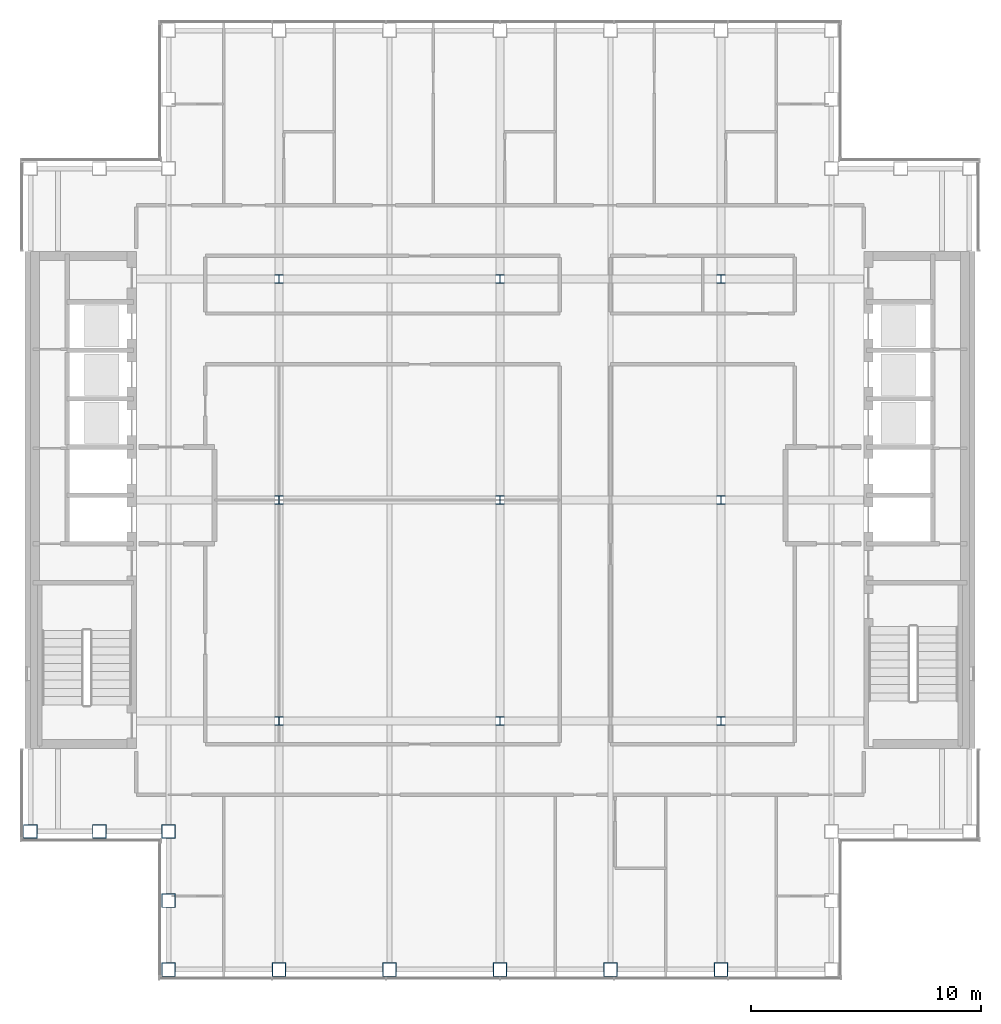
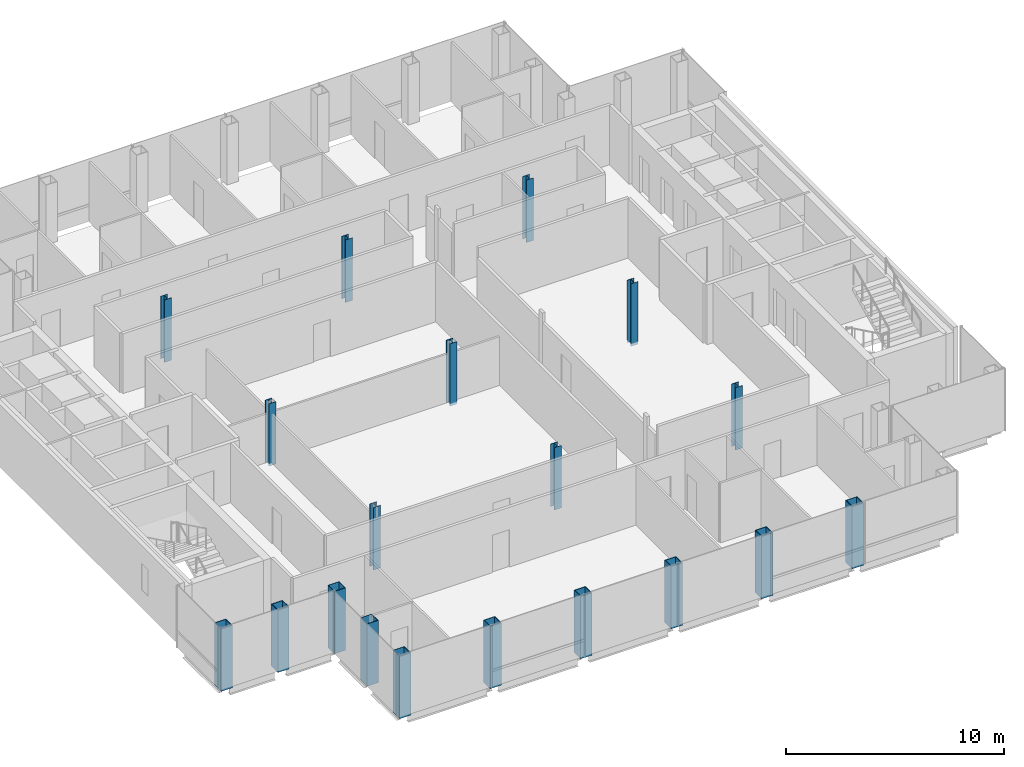
# One storey, part 1 of 15: 19 columns.
"""IFC4 building model written with IfcOpenShell, lengths in metres."""

from ifc_helpers import new_model, si_unit, direction, frame, origin, origin_2d, place, context, subcontext, project, spatial, hollow_rectangle, i_section, extrude, material, material_profile, profile_set, type_object, element, save


model = new_model("IFC4")

# Units and contexts
model_context = context("Model", 3, precision=1e-05, world=origin(), true_north=direction((0.0, 1.0)))
body_context = subcontext(model_context, "Body", "Model", "MODEL_VIEW")
ifc_project = project(units=[si_unit("LENGTHUNIT", "METRE"), si_unit("AREAUNIT", "SQUARE_METRE"), si_unit("VOLUMEUNIT", "CUBIC_METRE"), si_unit("PLANEANGLEUNIT", "RADIAN"), si_unit("MASSUNIT", "GRAM", prefix="KILO")], contexts=[model_context])

# Site, building, storey
site_placement = place(None, origin())
site = spatial("IfcSite", under=ifc_project, at=site_placement, CompositionType="ELEMENT")
building_placement = place(site_placement, origin())
building = spatial("IfcBuilding", under=site, at=building_placement, Name="Cobrizo Arcos Hotel Tower", CompositionType="ELEMENT")
storey_placement = place(building_placement, frame((0.0, 0.0, 251.5)))
storey = spatial("IfcBuildingStorey", under=building, at=storey_placement, Name="L66", CompositionType="ELEMENT", Elevation=251.5)

# Columns
ifc_material_1 = material(Name="Steel ASTM A572 Grade 50", Category="steel")
ifc_material_profile_1 = material_profile(ifc_material_1, hollow_rectangle(XDim=0.60009765625, YDim=0.60009765625, WallThickness=0.030029296875, at=origin_2d()), Name="BOX 600X600X30")
ifc_profile_set_1 = profile_set([ifc_material_profile_1], Name="Steel ASTM A572 Grade 50")
column_type_1 = type_object("IfcColumnType", Name="BOX 600X600X30 column", PredefinedType="COLUMN", material=ifc_profile_set_1)
for number, where, z_axis, x_axis, name in (
    (1, (-14.39990234375, -20.39990234375, -0.14990234375), (0.0, 0.0, 1.0), (1.0, 0.0, 0.0), "Perimeter column C12, L66, no. 01"),
    (2, (-9.60009765625, -20.39990234375, -0.14990234375), (0.0, 0.0, 1.0), (1.0, 0.0, 0.0), "Perimeter column C12, L66, no. 03"),
    (3, (-4.800048828125, -20.39990234375, -0.14990234375), (0.0, 0.0, 1.0), (1.0, 0.0, 0.0), "Perimeter column C12, L66, no. 05"),
    (4, (0.0, -20.39990234375, -0.14990234375), (0.0, 0.0, 1.0), (1.0, 0.0, 0.0), "Perimeter column C12, L66, no. 07"),
    (5, (4.800048828125, -20.39990234375, -0.14990234375), (0.0, 0.0, 1.0), (1.0, 0.0, 0.0), "Perimeter column C12, L66, no. 09"),
    (6, (9.60009765625, -20.39990234375, -0.14990234375), (0.0, 0.0, 1.0), (1.0, 0.0, 0.0), "Perimeter column C12, L66, no. 11"),
    (7, (-20.39990234375, -14.39990234375, -0.14990234375), (0.0, 0.0, 1.0), (1.0, 0.0, 0.0), "Perimeter column C12, L66, no. 15"),
    (8, (-14.39990234375, -14.39990234375, -0.14990234375), (0.0, 0.0, 1.0), (1.0, 0.0, 0.0), "Perimeter column C12, L66, no. 18"),
    (9, (-14.39990234375, -17.39990234375, -0.14990234375), (0.0, 0.0, 1.0), (1.0, 0.0, 0.0), "Perimeter column C12, L66, no. 19"),
    (10, (-17.39990234375, -14.39990234375, -0.14990234375), (0.0, 0.0, 1.0), (1.0, 0.0, 0.0), "Perimeter column C12, L66, no. 20"),
):
    element("IfcColumn", number, at=place(storey_placement, frame(where, z_axis=z_axis, x_axis=x_axis)), inside=storey, type_object=column_type_1, Name=name, PredefinedType="COLUMN", context=body_context, shape_type="SweptSolid", body=[
        extrude(hollow_rectangle(XDim=0.60009765625, YDim=0.60009765625, WallThickness=0.030029296875, at=origin_2d()), origin(), (0.0, 0.0, 1.0), 3.5),
    ])
ifc_material_2 = material(Name="Steel ASTM A992 Grade 50", Category="steel")
ifc_material_profile_2 = material_profile(ifc_material_2, i_section(OverallWidth=0.368408203125, OverallDepth=0.355712890625, WebThickness=0.01123046875, FlangeThickness=0.01806640625, at=origin_2d()), Name="W14X90")
ifc_profile_set_2 = profile_set([ifc_material_profile_2], Name="Steel ASTM A992 Grade 50")
column_type_2 = type_object("IfcColumnType", Name="W14X90 interior column", PredefinedType="COLUMN", material=ifc_profile_set_2)
for number, where, z_axis, x_axis, name in (
    (11, (-9.60009765625, -9.60009765625, -0.14990234375), (0.0, 0.0, 1.0), (1.0, 0.0, 0.0), "Interior column C13, L66, no. 00"),
    (12, (-9.60009765625, 0.0, -0.14990234375), (0.0, 0.0, 1.0), (1.0, 0.0, 0.0), "Interior column C13, L66, no. 01"),
    (13, (-9.60009765625, 9.60009765625, -0.14990234375), (0.0, 0.0, 1.0), (1.0, 0.0, 0.0), "Interior column C13, L66, no. 02"),
    (14, (0.0, -9.60009765625, -0.14990234375), (0.0, 0.0, 1.0), (1.0, 0.0, 0.0), "Interior column C13, L66, no. 03"),
    (15, (0.0, 0.0, -0.14990234375), (0.0, 0.0, 1.0), (1.0, 0.0, 0.0), "Interior column C13, L66, no. 04"),
    (16, (0.0, 9.60009765625, -0.14990234375), (0.0, 0.0, 1.0), (1.0, 0.0, 0.0), "Interior column C13, L66, no. 05"),
    (17, (9.60009765625, -9.60009765625, -0.14990234375), (0.0, 0.0, 1.0), (1.0, 0.0, 0.0), "Interior column C13, L66, no. 06"),
    (18, (9.60009765625, 0.0, -0.14990234375), (0.0, 0.0, 1.0), (1.0, 0.0, 0.0), "Interior column C13, L66, no. 07"),
    (19, (9.60009765625, 9.60009765625, -0.14990234375), (0.0, 0.0, 1.0), (1.0, 0.0, 0.0), "Interior column C13, L66, no. 08"),
):
    element("IfcColumn", number, at=place(storey_placement, frame(where, z_axis=z_axis, x_axis=x_axis)), inside=storey, type_object=column_type_2, Name=name, PredefinedType="COLUMN", context=body_context, shape_type="SweptSolid", body=[
        extrude(i_section(OverallWidth=0.368408203125, OverallDepth=0.355712890625, WebThickness=0.01123046875, FlangeThickness=0.01806640625, at=origin_2d()), origin(), (0.0, 0.0, 1.0), 3.5),
    ])

save(model, "model.ifc")
